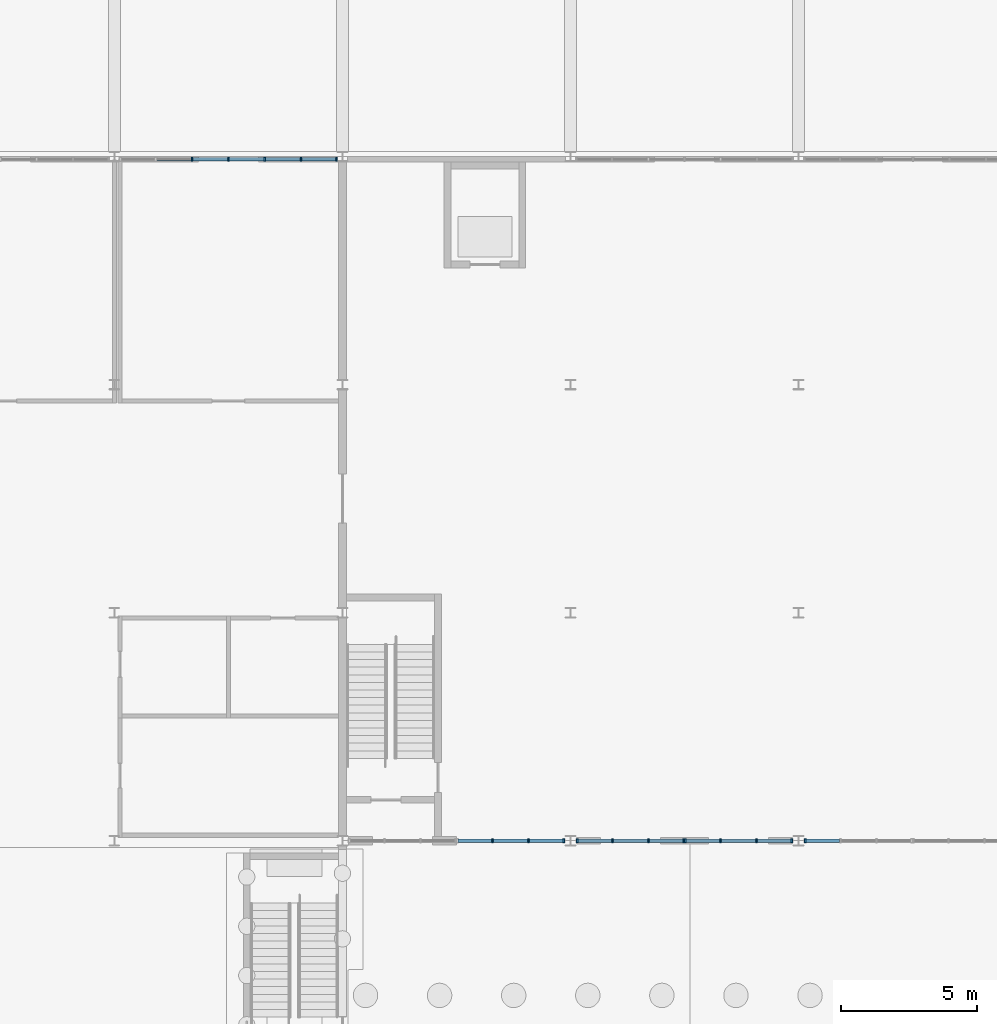
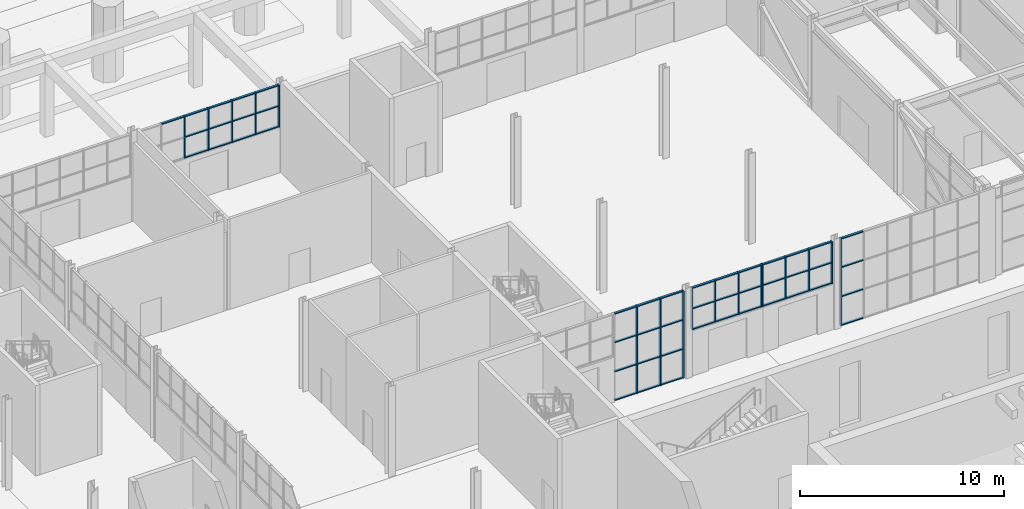
# One storey, part 40 of 127: 64 members, 5 elements without a shape of their own.
"""IFC4 building model written with IfcOpenShell, lengths in metres."""

from ifc_helpers import new_model, si_unit, direction, frame, origin, origin_2d, place, context, subcontext, project, spatial, rectangle, extrude, material, material_profile, profile_set, type_object, element, aggregate, save


model = new_model("IFC4")

# Units and contexts
model_context = context("Model", 3, precision=1e-05, world=origin(), true_north=direction((0.0, 1.0)))
body_context = subcontext(model_context, "Body", "Model", "MODEL_VIEW")
ifc_project = project(units=[si_unit("LENGTHUNIT", "METRE"), si_unit("AREAUNIT", "SQUARE_METRE"), si_unit("VOLUMEUNIT", "CUBIC_METRE"), si_unit("PLANEANGLEUNIT", "RADIAN"), si_unit("MASSUNIT", "GRAM", prefix="KILO")], contexts=[model_context])

# Site, building, storey
site_placement = place(None, origin())
site = spatial("IfcSite", under=ifc_project, at=site_placement, CompositionType="ELEMENT")
building_placement = place(site_placement, origin())
building = spatial("IfcBuilding", under=site, at=building_placement, Name="Ljudholm Concert House", CompositionType="ELEMENT")
storey_placement = place(building_placement, origin())
storey = spatial("IfcBuildingStorey", under=building, at=storey_placement, Name="L00", CompositionType="ELEMENT", Elevation=0.0)

# Curtain wall, members
ifc_material_1 = material(Name="Aluminium curtain wall with impact-rated laminated glass", Category="aluminium")
curtain_wall_type = type_object("IfcCurtainWallType", Name="CURTAIN WALL 1400", PredefinedType="NOTDEFINED", material=ifc_material_1)
curtain_wall_1_placement = place(storey_placement, origin())
curtain_wall_1 = element("IfcCurtainWall", 1, at=curtain_wall_1_placement, inside=storey, type_object=curtain_wall_type, Name="North curtain wall", PredefinedType="NOTDEFINED")
ifc_material_2 = material(Name="Aluminium extrusion", Category="aluminium")
ifc_material_profile_1 = material_profile(ifc_material_2, rectangle(XDim=0.159912109375, YDim=0.06005859375, at=origin_2d()), Name="MULLION 60x160")
ifc_profile_set_1 = profile_set([ifc_material_profile_1], Name="Aluminium extrusion")
member_type_1 = type_object("IfcMemberType", Name="MULLION 60x160", PredefinedType="MULLION", material=ifc_profile_set_1)
member_1_placement = place(storey_placement, frame((23.662109375, 129.89990234375, 2.699951171875), z_axis=(0.0, 0.0, 1.0), x_axis=(0.0, 1.0, 0.0)))
member_1 = element("IfcMember", 2, at=member_1_placement, type_object=member_type_1, Name="Mullion", PredefinedType="MULLION", context=body_context, shape_type="SweptSolid", body=[
    extrude(rectangle(XDim=0.159912109375, YDim=0.06005859375, at=origin_2d()), origin(), (0.0, 0.0, 1.0), 2.52001953125),
])
member_2_placement = place(storey_placement, frame((25.0, 129.89990234375, 2.699951171875), z_axis=(0.0, 0.0, 1.0), x_axis=(0.0, 1.0, 0.0)))
member_2 = element("IfcMember", 3, at=member_2_placement, type_object=member_type_1, Name="Mullion", PredefinedType="MULLION", context=body_context, shape_type="SweptSolid", body=[
    extrude(rectangle(XDim=0.159912109375, YDim=0.06005859375, at=origin_2d()), origin(), (0.0, 0.0, 1.0), 2.52001953125),
])
member_3_placement = place(storey_placement, frame((26.337890625, 129.89990234375, 2.699951171875), z_axis=(0.0, 0.0, 1.0), x_axis=(0.0, 1.0, 0.0)))
member_3 = element("IfcMember", 4, at=member_3_placement, type_object=member_type_1, Name="Mullion", PredefinedType="MULLION", context=body_context, shape_type="SweptSolid", body=[
    extrude(rectangle(XDim=0.159912109375, YDim=0.06005859375, at=origin_2d()), origin(), (0.0, 0.0, 1.0), 2.52001953125),
])
member_4_placement = place(storey_placement, frame((27.675537109375, 129.89990234375, 2.699951171875), z_axis=(0.0, 0.0, 1.0), x_axis=(0.0, 1.0, 0.0)))
member_4 = element("IfcMember", 5, at=member_4_placement, type_object=member_type_1, Name="Mullion", PredefinedType="MULLION", context=body_context, shape_type="SweptSolid", body=[
    extrude(rectangle(XDim=0.159912109375, YDim=0.06005859375, at=origin_2d()), origin(), (0.0, 0.0, 1.0), 2.52001953125),
])
member_5_placement = place(storey_placement, frame((28.9833984375, 129.89990234375, 2.699951171875), z_axis=(0.0, 0.0, 1.0), x_axis=(0.0, 1.0, 0.0)))
member_5 = element("IfcMember", 6, at=member_5_placement, type_object=member_type_1, Name="Mullion", PredefinedType="MULLION", context=body_context, shape_type="SweptSolid", body=[
    extrude(rectangle(XDim=0.159912109375, YDim=0.06005859375, at=origin_2d()), origin(), (0.0, 0.0, 1.0), 2.52001953125),
])

curtain_wall_2_placement = place(storey_placement, origin())
curtain_wall_2 = element("IfcCurtainWall", 7, at=curtain_wall_2_placement, inside=storey, type_object=curtain_wall_type, Name="Winter garden curtain wall", PredefinedType="NOTDEFINED")
member_6_placement = place(storey_placement, frame((34.7265625, 104.800048828125, 0.0), z_axis=(0.0, 0.0, 1.0), x_axis=(0.0, 1.0, 0.0)))
member_6 = element("IfcMember", 8, at=member_6_placement, type_object=member_type_1, Name="Mullion", PredefinedType="MULLION", context=body_context, shape_type="SweptSolid", body=[
    extrude(rectangle(XDim=0.159912109375, YDim=0.06005859375, at=origin_2d()), origin(), (0.0, 0.0, 1.0), 5.219970703125),
])
member_7_placement = place(storey_placement, frame((36.05322265625, 104.800048828125, 0.0), z_axis=(0.0, 0.0, 1.0), x_axis=(0.0, 1.0, 0.0)))
member_7 = element("IfcMember", 9, at=member_7_placement, type_object=member_type_1, Name="Mullion", PredefinedType="MULLION", context=body_context, shape_type="SweptSolid", body=[
    extrude(rectangle(XDim=0.159912109375, YDim=0.06005859375, at=origin_2d()), origin(), (0.0, 0.0, 1.0), 5.219970703125),
])
member_8_placement = place(storey_placement, frame((37.35009765625, 104.800048828125, 0.0), z_axis=(0.0, 0.0, 1.0), x_axis=(0.0, 1.0, 0.0)))
member_8 = element("IfcMember", 10, at=member_8_placement, type_object=member_type_1, Name="Mullion", PredefinedType="MULLION", context=body_context, shape_type="SweptSolid", body=[
    extrude(rectangle(XDim=0.159912109375, YDim=0.06005859375, at=origin_2d()), origin(), (0.0, 0.0, 1.0), 5.219970703125),
])

curtain_wall_3_placement = place(storey_placement, origin())
curtain_wall_3 = element("IfcCurtainWall", 11, at=curtain_wall_3_placement, inside=storey, type_object=curtain_wall_type, Name="Winter garden curtain wall", PredefinedType="NOTDEFINED")
member_9_placement = place(storey_placement, frame((37.85009765625, 104.800048828125, 2.699951171875), z_axis=(0.0, 0.0, 1.0), x_axis=(0.0, 1.0, 0.0)))
member_9 = element("IfcMember", 12, at=member_9_placement, type_object=member_type_1, Name="Mullion", PredefinedType="MULLION", context=body_context, shape_type="SweptSolid", body=[
    extrude(rectangle(XDim=0.159912109375, YDim=0.06005859375, at=origin_2d()), origin(), (0.0, 0.0, 1.0), 2.52001953125),
])
member_10_placement = place(storey_placement, frame((39.146728515625, 104.800048828125, 2.699951171875), z_axis=(0.0, 0.0, 1.0), x_axis=(0.0, 1.0, 0.0)))
member_10 = element("IfcMember", 13, at=member_10_placement, type_object=member_type_1, Name="Mullion", PredefinedType="MULLION", context=body_context, shape_type="SweptSolid", body=[
    extrude(rectangle(XDim=0.159912109375, YDim=0.06005859375, at=origin_2d()), origin(), (0.0, 0.0, 1.0), 2.52001953125),
])
member_11_placement = place(storey_placement, frame((40.473388671875, 104.800048828125, 2.699951171875), z_axis=(0.0, 0.0, 1.0), x_axis=(0.0, 1.0, 0.0)))
member_11 = element("IfcMember", 14, at=member_11_placement, type_object=member_type_1, Name="Mullion", PredefinedType="MULLION", context=body_context, shape_type="SweptSolid", body=[
    extrude(rectangle(XDim=0.159912109375, YDim=0.06005859375, at=origin_2d()), origin(), (0.0, 0.0, 1.0), 2.52001953125),
])
member_12_placement = place(storey_placement, frame((41.77001953125, 104.800048828125, 2.699951171875), z_axis=(0.0, 0.0, 1.0), x_axis=(0.0, 1.0, 0.0)))
member_12 = element("IfcMember", 15, at=member_12_placement, type_object=member_type_1, Name="Mullion", PredefinedType="MULLION", context=body_context, shape_type="SweptSolid", body=[
    extrude(rectangle(XDim=0.159912109375, YDim=0.06005859375, at=origin_2d()), origin(), (0.0, 0.0, 1.0), 2.52001953125),
])

curtain_wall_4_placement = place(storey_placement, origin())
curtain_wall_4 = element("IfcCurtainWall", 16, at=curtain_wall_4_placement, inside=storey, type_object=curtain_wall_type, Name="Winter garden curtain wall", PredefinedType="NOTDEFINED")
member_13_placement = place(storey_placement, frame((41.830078125, 104.800048828125, 2.699951171875), z_axis=(0.0, 0.0, 1.0), x_axis=(0.0, 1.0, 0.0)))
member_13 = element("IfcMember", 17, at=member_13_placement, type_object=member_type_1, Name="Mullion", PredefinedType="MULLION", context=body_context, shape_type="SweptSolid", body=[
    extrude(rectangle(XDim=0.159912109375, YDim=0.06005859375, at=origin_2d()), origin(), (0.0, 0.0, 1.0), 2.52001953125),
])
member_14_placement = place(storey_placement, frame((43.126708984375, 104.800048828125, 2.699951171875), z_axis=(0.0, 0.0, 1.0), x_axis=(0.0, 1.0, 0.0)))
member_14 = element("IfcMember", 18, at=member_14_placement, type_object=member_type_1, Name="Mullion", PredefinedType="MULLION", context=body_context, shape_type="SweptSolid", body=[
    extrude(rectangle(XDim=0.159912109375, YDim=0.06005859375, at=origin_2d()), origin(), (0.0, 0.0, 1.0), 2.52001953125),
])
member_15_placement = place(storey_placement, frame((44.453369140625, 104.800048828125, 2.699951171875), z_axis=(0.0, 0.0, 1.0), x_axis=(0.0, 1.0, 0.0)))
member_15 = element("IfcMember", 19, at=member_15_placement, type_object=member_type_1, Name="Mullion", PredefinedType="MULLION", context=body_context, shape_type="SweptSolid", body=[
    extrude(rectangle(XDim=0.159912109375, YDim=0.06005859375, at=origin_2d()), origin(), (0.0, 0.0, 1.0), 2.52001953125),
])
member_16_placement = place(storey_placement, frame((45.75, 104.800048828125, 2.699951171875), z_axis=(0.0, 0.0, 1.0), x_axis=(0.0, 1.0, 0.0)))
member_16 = element("IfcMember", 20, at=member_16_placement, type_object=member_type_1, Name="Mullion", PredefinedType="MULLION", context=body_context, shape_type="SweptSolid", body=[
    extrude(rectangle(XDim=0.159912109375, YDim=0.06005859375, at=origin_2d()), origin(), (0.0, 0.0, 1.0), 2.52001953125),
])

# Curtain wall, member
curtain_wall_5_placement = place(storey_placement, origin())
curtain_wall_5 = element("IfcCurtainWall", 21, at=curtain_wall_5_placement, inside=storey, type_object=curtain_wall_type, Name="Winter garden curtain wall", PredefinedType="NOTDEFINED")
member_17_placement = place(storey_placement, frame((46.25, 104.800048828125, 0.0), z_axis=(0.0, 0.0, 1.0), x_axis=(0.0, 1.0, 0.0)))
member_17 = element("IfcMember", 22, at=member_17_placement, type_object=member_type_1, Name="Mullion", PredefinedType="MULLION", context=body_context, shape_type="SweptSolid", body=[
    extrude(rectangle(XDim=0.159912109375, YDim=0.06005859375, at=origin_2d()), origin(), (0.0, 0.0, 1.0), 5.219970703125),
])

# Member
ifc_material_3 = material(Name="Aluminium extrusion", Category="aluminium")
ifc_material_profile_2 = material_profile(ifc_material_3, rectangle(XDim=0.1201171875, YDim=0.06005859375, at=origin_2d()), Name="TRANSOM 60x120")
ifc_profile_set_2 = profile_set([ifc_material_profile_2], Name="Aluminium extrusion")
member_type_2 = type_object("IfcMemberType", Name="TRANSOM 60x120", PredefinedType="USERDEFINED", material=ifc_profile_set_2)
member_18_placement = place(storey_placement, frame((22.3544921875, 129.89990234375, 5.18994140625), z_axis=(1.0, 0.0, 0.0), x_axis=(0.0, 1.0, 0.0)))
member_18 = element("IfcMember", 23, at=member_18_placement, type_object=member_type_2, Name="Transom", ObjectType="TRANSOM", PredefinedType="USERDEFINED", context=body_context, shape_type="SweptSolid", body=[
    extrude(rectangle(XDim=0.1201171875, YDim=0.06005859375, at=origin_2d()), origin(), (0.0, 0.0, 1.0), 1.27783203125),
])

member_19_placement = place(storey_placement, frame((23.692138671875, 129.89990234375, 2.72998046875), z_axis=(1.0, 0.0, 0.0), x_axis=(0.0, 1.0, 0.0)))
member_19 = element("IfcMember", 24, at=member_19_placement, type_object=member_type_2, Name="Transom", ObjectType="TRANSOM", PredefinedType="USERDEFINED", context=body_context, shape_type="SweptSolid", body=[
    extrude(rectangle(XDim=0.1201171875, YDim=0.06005859375, at=origin_2d()), origin(), (0.0, 0.0, 1.0), 1.27783203125),
])

member_20_placement = place(storey_placement, frame((23.692138671875, 129.89990234375, 3.9599609375), z_axis=(1.0, 0.0, 0.0), x_axis=(0.0, 1.0, 0.0)))
member_20 = element("IfcMember", 25, at=member_20_placement, type_object=member_type_2, Name="Transom", ObjectType="TRANSOM", PredefinedType="USERDEFINED", context=body_context, shape_type="SweptSolid", body=[
    extrude(rectangle(XDim=0.1201171875, YDim=0.06005859375, at=origin_2d()), origin(), (0.0, 0.0, 1.0), 1.27783203125),
])

member_21_placement = place(storey_placement, frame((23.692138671875, 129.89990234375, 5.18994140625), z_axis=(1.0, 0.0, 0.0), x_axis=(0.0, 1.0, 0.0)))
member_21 = element("IfcMember", 26, at=member_21_placement, type_object=member_type_2, Name="Transom", ObjectType="TRANSOM", PredefinedType="USERDEFINED", context=body_context, shape_type="SweptSolid", body=[
    extrude(rectangle(XDim=0.1201171875, YDim=0.06005859375, at=origin_2d()), origin(), (0.0, 0.0, 1.0), 1.27783203125),
])

member_22_placement = place(storey_placement, frame((25.030029296875, 129.89990234375, 2.72998046875), z_axis=(1.0, 0.0, 0.0), x_axis=(0.0, 1.0, 0.0)))
member_22 = element("IfcMember", 27, at=member_22_placement, type_object=member_type_2, Name="Transom", ObjectType="TRANSOM", PredefinedType="USERDEFINED", context=body_context, shape_type="SweptSolid", body=[
    extrude(rectangle(XDim=0.1201171875, YDim=0.06005859375, at=origin_2d()), origin(), (0.0, 0.0, 1.0), 1.27783203125),
])

member_23_placement = place(storey_placement, frame((25.030029296875, 129.89990234375, 3.9599609375), z_axis=(1.0, 0.0, 0.0), x_axis=(0.0, 1.0, 0.0)))
member_23 = element("IfcMember", 28, at=member_23_placement, type_object=member_type_2, Name="Transom", ObjectType="TRANSOM", PredefinedType="USERDEFINED", context=body_context, shape_type="SweptSolid", body=[
    extrude(rectangle(XDim=0.1201171875, YDim=0.06005859375, at=origin_2d()), origin(), (0.0, 0.0, 1.0), 1.27783203125),
])

member_24_placement = place(storey_placement, frame((25.030029296875, 129.89990234375, 5.18994140625), z_axis=(1.0, 0.0, 0.0), x_axis=(0.0, 1.0, 0.0)))
member_24 = element("IfcMember", 29, at=member_24_placement, type_object=member_type_2, Name="Transom", ObjectType="TRANSOM", PredefinedType="USERDEFINED", context=body_context, shape_type="SweptSolid", body=[
    extrude(rectangle(XDim=0.1201171875, YDim=0.06005859375, at=origin_2d()), origin(), (0.0, 0.0, 1.0), 1.27783203125),
])

member_25_placement = place(storey_placement, frame((26.36767578125, 129.89990234375, 2.72998046875), z_axis=(1.0, 0.0, 0.0), x_axis=(0.0, 1.0, 0.0)))
member_25 = element("IfcMember", 30, at=member_25_placement, type_object=member_type_2, Name="Transom", ObjectType="TRANSOM", PredefinedType="USERDEFINED", context=body_context, shape_type="SweptSolid", body=[
    extrude(rectangle(XDim=0.1201171875, YDim=0.06005859375, at=origin_2d()), origin(), (0.0, 0.0, 1.0), 1.27783203125),
])

member_26_placement = place(storey_placement, frame((26.36767578125, 129.89990234375, 3.9599609375), z_axis=(1.0, 0.0, 0.0), x_axis=(0.0, 1.0, 0.0)))
member_26 = element("IfcMember", 31, at=member_26_placement, type_object=member_type_2, Name="Transom", ObjectType="TRANSOM", PredefinedType="USERDEFINED", context=body_context, shape_type="SweptSolid", body=[
    extrude(rectangle(XDim=0.1201171875, YDim=0.06005859375, at=origin_2d()), origin(), (0.0, 0.0, 1.0), 1.27783203125),
])

member_27_placement = place(storey_placement, frame((26.36767578125, 129.89990234375, 5.18994140625), z_axis=(1.0, 0.0, 0.0), x_axis=(0.0, 1.0, 0.0)))
member_27 = element("IfcMember", 32, at=member_27_placement, type_object=member_type_2, Name="Transom", ObjectType="TRANSOM", PredefinedType="USERDEFINED", context=body_context, shape_type="SweptSolid", body=[
    extrude(rectangle(XDim=0.1201171875, YDim=0.06005859375, at=origin_2d()), origin(), (0.0, 0.0, 1.0), 1.27783203125),
])

member_28_placement = place(storey_placement, frame((27.70556640625, 129.89990234375, 2.72998046875), z_axis=(1.0, 0.0, 0.0), x_axis=(0.0, 1.0, 0.0)))
member_28 = element("IfcMember", 33, at=member_28_placement, type_object=member_type_2, Name="Transom", ObjectType="TRANSOM", PredefinedType="USERDEFINED", context=body_context, shape_type="SweptSolid", body=[
    extrude(rectangle(XDim=0.1201171875, YDim=0.06005859375, at=origin_2d()), origin(), (0.0, 0.0, 1.0), 1.247802734375),
])

member_29_placement = place(storey_placement, frame((27.70556640625, 129.89990234375, 3.9599609375), z_axis=(1.0, 0.0, 0.0), x_axis=(0.0, 1.0, 0.0)))
member_29 = element("IfcMember", 34, at=member_29_placement, type_object=member_type_2, Name="Transom", ObjectType="TRANSOM", PredefinedType="USERDEFINED", context=body_context, shape_type="SweptSolid", body=[
    extrude(rectangle(XDim=0.1201171875, YDim=0.06005859375, at=origin_2d()), origin(), (0.0, 0.0, 1.0), 1.247802734375),
])

member_30_placement = place(storey_placement, frame((27.70556640625, 129.89990234375, 5.18994140625), z_axis=(1.0, 0.0, 0.0), x_axis=(0.0, 1.0, 0.0)))
member_30 = element("IfcMember", 35, at=member_30_placement, type_object=member_type_2, Name="Transom", ObjectType="TRANSOM", PredefinedType="USERDEFINED", context=body_context, shape_type="SweptSolid", body=[
    extrude(rectangle(XDim=0.1201171875, YDim=0.06005859375, at=origin_2d()), origin(), (0.0, 0.0, 1.0), 1.247802734375),
])

aggregate(curtain_wall_1, [member_1, member_2, member_3, member_4, member_5, member_18, member_19, member_20, member_21, member_22, member_23, member_24, member_25, member_26, member_27, member_28, member_29, member_30])

member_31_placement = place(storey_placement, frame((33.4599609375, 104.800048828125, 0.030029296875), z_axis=(1.0, 0.0, 0.0), x_axis=(0.0, 1.0, 0.0)))
member_31 = element("IfcMember", 36, at=member_31_placement, type_object=member_type_2, Name="Transom", ObjectType="TRANSOM", PredefinedType="USERDEFINED", context=body_context, shape_type="SweptSolid", body=[
    extrude(rectangle(XDim=0.1201171875, YDim=0.06005859375, at=origin_2d()), origin(), (0.0, 0.0, 1.0), 1.23681640625),
])

member_32_placement = place(storey_placement, frame((33.4599609375, 104.800048828125, 1.739990234375), z_axis=(1.0, 0.0, 0.0), x_axis=(0.0, 1.0, 0.0)))
member_32 = element("IfcMember", 37, at=member_32_placement, type_object=member_type_2, Name="Transom", ObjectType="TRANSOM", PredefinedType="USERDEFINED", context=body_context, shape_type="SweptSolid", body=[
    extrude(rectangle(XDim=0.1201171875, YDim=0.06005859375, at=origin_2d()), origin(), (0.0, 0.0, 1.0), 1.23681640625),
])

member_33_placement = place(storey_placement, frame((33.4599609375, 104.800048828125, 3.47998046875), z_axis=(1.0, 0.0, 0.0), x_axis=(0.0, 1.0, 0.0)))
member_33 = element("IfcMember", 38, at=member_33_placement, type_object=member_type_2, Name="Transom", ObjectType="TRANSOM", PredefinedType="USERDEFINED", context=body_context, shape_type="SweptSolid", body=[
    extrude(rectangle(XDim=0.1201171875, YDim=0.06005859375, at=origin_2d()), origin(), (0.0, 0.0, 1.0), 1.23681640625),
])

member_34_placement = place(storey_placement, frame((33.4599609375, 104.800048828125, 5.18994140625), z_axis=(1.0, 0.0, 0.0), x_axis=(0.0, 1.0, 0.0)))
member_34 = element("IfcMember", 39, at=member_34_placement, type_object=member_type_2, Name="Transom", ObjectType="TRANSOM", PredefinedType="USERDEFINED", context=body_context, shape_type="SweptSolid", body=[
    extrude(rectangle(XDim=0.1201171875, YDim=0.06005859375, at=origin_2d()), origin(), (0.0, 0.0, 1.0), 1.23681640625),
])

member_35_placement = place(storey_placement, frame((34.756591796875, 104.800048828125, 0.030029296875), z_axis=(1.0, 0.0, 0.0), x_axis=(0.0, 1.0, 0.0)))
member_35 = element("IfcMember", 40, at=member_35_placement, type_object=member_type_2, Name="Transom", ObjectType="TRANSOM", PredefinedType="USERDEFINED", context=body_context, shape_type="SweptSolid", body=[
    extrude(rectangle(XDim=0.1201171875, YDim=0.06005859375, at=origin_2d()), origin(), (0.0, 0.0, 1.0), 1.266845703125),
])

member_36_placement = place(storey_placement, frame((34.756591796875, 104.800048828125, 1.739990234375), z_axis=(1.0, 0.0, 0.0), x_axis=(0.0, 1.0, 0.0)))
member_36 = element("IfcMember", 41, at=member_36_placement, type_object=member_type_2, Name="Transom", ObjectType="TRANSOM", PredefinedType="USERDEFINED", context=body_context, shape_type="SweptSolid", body=[
    extrude(rectangle(XDim=0.1201171875, YDim=0.06005859375, at=origin_2d()), origin(), (0.0, 0.0, 1.0), 1.266845703125),
])

member_37_placement = place(storey_placement, frame((34.756591796875, 104.800048828125, 3.47998046875), z_axis=(1.0, 0.0, 0.0), x_axis=(0.0, 1.0, 0.0)))
member_37 = element("IfcMember", 42, at=member_37_placement, type_object=member_type_2, Name="Transom", ObjectType="TRANSOM", PredefinedType="USERDEFINED", context=body_context, shape_type="SweptSolid", body=[
    extrude(rectangle(XDim=0.1201171875, YDim=0.06005859375, at=origin_2d()), origin(), (0.0, 0.0, 1.0), 1.266845703125),
])

member_38_placement = place(storey_placement, frame((34.756591796875, 104.800048828125, 5.18994140625), z_axis=(1.0, 0.0, 0.0), x_axis=(0.0, 1.0, 0.0)))
member_38 = element("IfcMember", 43, at=member_38_placement, type_object=member_type_2, Name="Transom", ObjectType="TRANSOM", PredefinedType="USERDEFINED", context=body_context, shape_type="SweptSolid", body=[
    extrude(rectangle(XDim=0.1201171875, YDim=0.06005859375, at=origin_2d()), origin(), (0.0, 0.0, 1.0), 1.266845703125),
])

member_39_placement = place(storey_placement, frame((36.083251953125, 104.800048828125, 0.030029296875), z_axis=(1.0, 0.0, 0.0), x_axis=(0.0, 1.0, 0.0)))
member_39 = element("IfcMember", 44, at=member_39_placement, type_object=member_type_2, Name="Transom", ObjectType="TRANSOM", PredefinedType="USERDEFINED", context=body_context, shape_type="SweptSolid", body=[
    extrude(rectangle(XDim=0.1201171875, YDim=0.06005859375, at=origin_2d()), origin(), (0.0, 0.0, 1.0), 1.23681640625),
])

member_40_placement = place(storey_placement, frame((36.083251953125, 104.800048828125, 1.739990234375), z_axis=(1.0, 0.0, 0.0), x_axis=(0.0, 1.0, 0.0)))
member_40 = element("IfcMember", 45, at=member_40_placement, type_object=member_type_2, Name="Transom", ObjectType="TRANSOM", PredefinedType="USERDEFINED", context=body_context, shape_type="SweptSolid", body=[
    extrude(rectangle(XDim=0.1201171875, YDim=0.06005859375, at=origin_2d()), origin(), (0.0, 0.0, 1.0), 1.23681640625),
])

member_41_placement = place(storey_placement, frame((36.083251953125, 104.800048828125, 3.47998046875), z_axis=(1.0, 0.0, 0.0), x_axis=(0.0, 1.0, 0.0)))
member_41 = element("IfcMember", 46, at=member_41_placement, type_object=member_type_2, Name="Transom", ObjectType="TRANSOM", PredefinedType="USERDEFINED", context=body_context, shape_type="SweptSolid", body=[
    extrude(rectangle(XDim=0.1201171875, YDim=0.06005859375, at=origin_2d()), origin(), (0.0, 0.0, 1.0), 1.23681640625),
])

member_42_placement = place(storey_placement, frame((36.083251953125, 104.800048828125, 5.18994140625), z_axis=(1.0, 0.0, 0.0), x_axis=(0.0, 1.0, 0.0)))
member_42 = element("IfcMember", 47, at=member_42_placement, type_object=member_type_2, Name="Transom", ObjectType="TRANSOM", PredefinedType="USERDEFINED", context=body_context, shape_type="SweptSolid", body=[
    extrude(rectangle(XDim=0.1201171875, YDim=0.06005859375, at=origin_2d()), origin(), (0.0, 0.0, 1.0), 1.23681640625),
])

aggregate(curtain_wall_2, [member_6, member_7, member_8, member_31, member_32, member_33, member_34, member_35, member_36, member_37, member_38, member_39, member_40, member_41, member_42])

member_43_placement = place(storey_placement, frame((37.8798828125, 104.800048828125, 2.72998046875), z_axis=(1.0, 0.0, 0.0), x_axis=(0.0, 1.0, 0.0)))
member_43 = element("IfcMember", 48, at=member_43_placement, type_object=member_type_2, Name="Transom", ObjectType="TRANSOM", PredefinedType="USERDEFINED", context=body_context, shape_type="SweptSolid", body=[
    extrude(rectangle(XDim=0.1201171875, YDim=0.06005859375, at=origin_2d()), origin(), (0.0, 0.0, 1.0), 1.23681640625),
])

member_44_placement = place(storey_placement, frame((37.8798828125, 104.800048828125, 3.9599609375), z_axis=(1.0, 0.0, 0.0), x_axis=(0.0, 1.0, 0.0)))
member_44 = element("IfcMember", 49, at=member_44_placement, type_object=member_type_2, Name="Transom", ObjectType="TRANSOM", PredefinedType="USERDEFINED", context=body_context, shape_type="SweptSolid", body=[
    extrude(rectangle(XDim=0.1201171875, YDim=0.06005859375, at=origin_2d()), origin(), (0.0, 0.0, 1.0), 1.23681640625),
])

member_45_placement = place(storey_placement, frame((37.8798828125, 104.800048828125, 5.18994140625), z_axis=(1.0, 0.0, 0.0), x_axis=(0.0, 1.0, 0.0)))
member_45 = element("IfcMember", 50, at=member_45_placement, type_object=member_type_2, Name="Transom", ObjectType="TRANSOM", PredefinedType="USERDEFINED", context=body_context, shape_type="SweptSolid", body=[
    extrude(rectangle(XDim=0.1201171875, YDim=0.06005859375, at=origin_2d()), origin(), (0.0, 0.0, 1.0), 1.23681640625),
])

member_46_placement = place(storey_placement, frame((39.1767578125, 104.800048828125, 2.72998046875), z_axis=(1.0, 0.0, 0.0), x_axis=(0.0, 1.0, 0.0)))
member_46 = element("IfcMember", 51, at=member_46_placement, type_object=member_type_2, Name="Transom", ObjectType="TRANSOM", PredefinedType="USERDEFINED", context=body_context, shape_type="SweptSolid", body=[
    extrude(rectangle(XDim=0.1201171875, YDim=0.06005859375, at=origin_2d()), origin(), (0.0, 0.0, 1.0), 1.2666015625),
])

member_47_placement = place(storey_placement, frame((39.1767578125, 104.800048828125, 3.9599609375), z_axis=(1.0, 0.0, 0.0), x_axis=(0.0, 1.0, 0.0)))
member_47 = element("IfcMember", 52, at=member_47_placement, type_object=member_type_2, Name="Transom", ObjectType="TRANSOM", PredefinedType="USERDEFINED", context=body_context, shape_type="SweptSolid", body=[
    extrude(rectangle(XDim=0.1201171875, YDim=0.06005859375, at=origin_2d()), origin(), (0.0, 0.0, 1.0), 1.2666015625),
])

member_48_placement = place(storey_placement, frame((39.1767578125, 104.800048828125, 5.18994140625), z_axis=(1.0, 0.0, 0.0), x_axis=(0.0, 1.0, 0.0)))
member_48 = element("IfcMember", 53, at=member_48_placement, type_object=member_type_2, Name="Transom", ObjectType="TRANSOM", PredefinedType="USERDEFINED", context=body_context, shape_type="SweptSolid", body=[
    extrude(rectangle(XDim=0.1201171875, YDim=0.06005859375, at=origin_2d()), origin(), (0.0, 0.0, 1.0), 1.2666015625),
])

member_49_placement = place(storey_placement, frame((40.50341796875, 104.800048828125, 2.72998046875), z_axis=(1.0, 0.0, 0.0), x_axis=(0.0, 1.0, 0.0)))
member_49 = element("IfcMember", 54, at=member_49_placement, type_object=member_type_2, Name="Transom", ObjectType="TRANSOM", PredefinedType="USERDEFINED", context=body_context, shape_type="SweptSolid", body=[
    extrude(rectangle(XDim=0.1201171875, YDim=0.06005859375, at=origin_2d()), origin(), (0.0, 0.0, 1.0), 1.236572265625),
])

member_50_placement = place(storey_placement, frame((40.50341796875, 104.800048828125, 3.9599609375), z_axis=(1.0, 0.0, 0.0), x_axis=(0.0, 1.0, 0.0)))
member_50 = element("IfcMember", 55, at=member_50_placement, type_object=member_type_2, Name="Transom", ObjectType="TRANSOM", PredefinedType="USERDEFINED", context=body_context, shape_type="SweptSolid", body=[
    extrude(rectangle(XDim=0.1201171875, YDim=0.06005859375, at=origin_2d()), origin(), (0.0, 0.0, 1.0), 1.236572265625),
])

member_51_placement = place(storey_placement, frame((40.50341796875, 104.800048828125, 5.18994140625), z_axis=(1.0, 0.0, 0.0), x_axis=(0.0, 1.0, 0.0)))
member_51 = element("IfcMember", 56, at=member_51_placement, type_object=member_type_2, Name="Transom", ObjectType="TRANSOM", PredefinedType="USERDEFINED", context=body_context, shape_type="SweptSolid", body=[
    extrude(rectangle(XDim=0.1201171875, YDim=0.06005859375, at=origin_2d()), origin(), (0.0, 0.0, 1.0), 1.236572265625),
])

aggregate(curtain_wall_3, [member_9, member_10, member_11, member_12, member_43, member_44, member_45, member_46, member_47, member_48, member_49, member_50, member_51])

member_52_placement = place(storey_placement, frame((41.860107421875, 104.800048828125, 2.72998046875), z_axis=(1.0, 0.0, 0.0), x_axis=(0.0, 1.0, 0.0)))
member_52 = element("IfcMember", 57, at=member_52_placement, type_object=member_type_2, Name="Transom", ObjectType="TRANSOM", PredefinedType="USERDEFINED", context=body_context, shape_type="SweptSolid", body=[
    extrude(rectangle(XDim=0.1201171875, YDim=0.06005859375, at=origin_2d()), origin(), (0.0, 0.0, 1.0), 1.236572265625),
])

member_53_placement = place(storey_placement, frame((41.860107421875, 104.800048828125, 3.9599609375), z_axis=(1.0, 0.0, 0.0), x_axis=(0.0, 1.0, 0.0)))
member_53 = element("IfcMember", 58, at=member_53_placement, type_object=member_type_2, Name="Transom", ObjectType="TRANSOM", PredefinedType="USERDEFINED", context=body_context, shape_type="SweptSolid", body=[
    extrude(rectangle(XDim=0.1201171875, YDim=0.06005859375, at=origin_2d()), origin(), (0.0, 0.0, 1.0), 1.236572265625),
])

member_54_placement = place(storey_placement, frame((41.860107421875, 104.800048828125, 5.18994140625), z_axis=(1.0, 0.0, 0.0), x_axis=(0.0, 1.0, 0.0)))
member_54 = element("IfcMember", 59, at=member_54_placement, type_object=member_type_2, Name="Transom", ObjectType="TRANSOM", PredefinedType="USERDEFINED", context=body_context, shape_type="SweptSolid", body=[
    extrude(rectangle(XDim=0.1201171875, YDim=0.06005859375, at=origin_2d()), origin(), (0.0, 0.0, 1.0), 1.236572265625),
])

member_55_placement = place(storey_placement, frame((43.15673828125, 104.800048828125, 2.72998046875), z_axis=(1.0, 0.0, 0.0), x_axis=(0.0, 1.0, 0.0)))
member_55 = element("IfcMember", 60, at=member_55_placement, type_object=member_type_2, Name="Transom", ObjectType="TRANSOM", PredefinedType="USERDEFINED", context=body_context, shape_type="SweptSolid", body=[
    extrude(rectangle(XDim=0.1201171875, YDim=0.06005859375, at=origin_2d()), origin(), (0.0, 0.0, 1.0), 1.2666015625),
])

member_56_placement = place(storey_placement, frame((43.15673828125, 104.800048828125, 3.9599609375), z_axis=(1.0, 0.0, 0.0), x_axis=(0.0, 1.0, 0.0)))
member_56 = element("IfcMember", 61, at=member_56_placement, type_object=member_type_2, Name="Transom", ObjectType="TRANSOM", PredefinedType="USERDEFINED", context=body_context, shape_type="SweptSolid", body=[
    extrude(rectangle(XDim=0.1201171875, YDim=0.06005859375, at=origin_2d()), origin(), (0.0, 0.0, 1.0), 1.2666015625),
])

member_57_placement = place(storey_placement, frame((43.15673828125, 104.800048828125, 5.18994140625), z_axis=(1.0, 0.0, 0.0), x_axis=(0.0, 1.0, 0.0)))
member_57 = element("IfcMember", 62, at=member_57_placement, type_object=member_type_2, Name="Transom", ObjectType="TRANSOM", PredefinedType="USERDEFINED", context=body_context, shape_type="SweptSolid", body=[
    extrude(rectangle(XDim=0.1201171875, YDim=0.06005859375, at=origin_2d()), origin(), (0.0, 0.0, 1.0), 1.2666015625),
])

member_58_placement = place(storey_placement, frame((44.4833984375, 104.800048828125, 2.72998046875), z_axis=(1.0, 0.0, 0.0), x_axis=(0.0, 1.0, 0.0)))
member_58 = element("IfcMember", 63, at=member_58_placement, type_object=member_type_2, Name="Transom", ObjectType="TRANSOM", PredefinedType="USERDEFINED", context=body_context, shape_type="SweptSolid", body=[
    extrude(rectangle(XDim=0.1201171875, YDim=0.06005859375, at=origin_2d()), origin(), (0.0, 0.0, 1.0), 1.236572265625),
])

member_59_placement = place(storey_placement, frame((44.4833984375, 104.800048828125, 3.9599609375), z_axis=(1.0, 0.0, 0.0), x_axis=(0.0, 1.0, 0.0)))
member_59 = element("IfcMember", 64, at=member_59_placement, type_object=member_type_2, Name="Transom", ObjectType="TRANSOM", PredefinedType="USERDEFINED", context=body_context, shape_type="SweptSolid", body=[
    extrude(rectangle(XDim=0.1201171875, YDim=0.06005859375, at=origin_2d()), origin(), (0.0, 0.0, 1.0), 1.236572265625),
])

member_60_placement = place(storey_placement, frame((44.4833984375, 104.800048828125, 5.18994140625), z_axis=(1.0, 0.0, 0.0), x_axis=(0.0, 1.0, 0.0)))
member_60 = element("IfcMember", 65, at=member_60_placement, type_object=member_type_2, Name="Transom", ObjectType="TRANSOM", PredefinedType="USERDEFINED", context=body_context, shape_type="SweptSolid", body=[
    extrude(rectangle(XDim=0.1201171875, YDim=0.06005859375, at=origin_2d()), origin(), (0.0, 0.0, 1.0), 1.236572265625),
])

aggregate(curtain_wall_4, [member_13, member_14, member_15, member_16, member_52, member_53, member_54, member_55, member_56, member_57, member_58, member_59, member_60])

member_61_placement = place(storey_placement, frame((46.280029296875, 104.800048828125, 0.030029296875), z_axis=(1.0, 0.0, 0.0), x_axis=(0.0, 1.0, 0.0)))
member_61 = element("IfcMember", 66, at=member_61_placement, type_object=member_type_2, Name="Transom", ObjectType="TRANSOM", PredefinedType="USERDEFINED", context=body_context, shape_type="SweptSolid", body=[
    extrude(rectangle(XDim=0.1201171875, YDim=0.06005859375, at=origin_2d()), origin(), (0.0, 0.0, 1.0), 1.236572265625),
])

member_62_placement = place(storey_placement, frame((46.280029296875, 104.800048828125, 1.739990234375), z_axis=(1.0, 0.0, 0.0), x_axis=(0.0, 1.0, 0.0)))
member_62 = element("IfcMember", 67, at=member_62_placement, type_object=member_type_2, Name="Transom", ObjectType="TRANSOM", PredefinedType="USERDEFINED", context=body_context, shape_type="SweptSolid", body=[
    extrude(rectangle(XDim=0.1201171875, YDim=0.06005859375, at=origin_2d()), origin(), (0.0, 0.0, 1.0), 1.236572265625),
])

member_63_placement = place(storey_placement, frame((46.280029296875, 104.800048828125, 3.47998046875), z_axis=(1.0, 0.0, 0.0), x_axis=(0.0, 1.0, 0.0)))
member_63 = element("IfcMember", 68, at=member_63_placement, type_object=member_type_2, Name="Transom", ObjectType="TRANSOM", PredefinedType="USERDEFINED", context=body_context, shape_type="SweptSolid", body=[
    extrude(rectangle(XDim=0.1201171875, YDim=0.06005859375, at=origin_2d()), origin(), (0.0, 0.0, 1.0), 1.236572265625),
])

member_64_placement = place(storey_placement, frame((46.280029296875, 104.800048828125, 5.18994140625), z_axis=(1.0, 0.0, 0.0), x_axis=(0.0, 1.0, 0.0)))
member_64 = element("IfcMember", 69, at=member_64_placement, type_object=member_type_2, Name="Transom", ObjectType="TRANSOM", PredefinedType="USERDEFINED", context=body_context, shape_type="SweptSolid", body=[
    extrude(rectangle(XDim=0.1201171875, YDim=0.06005859375, at=origin_2d()), origin(), (0.0, 0.0, 1.0), 1.236572265625),
])

aggregate(curtain_wall_5, [member_17, member_61, member_62, member_63, member_64])

save(model, "model.ifc")
